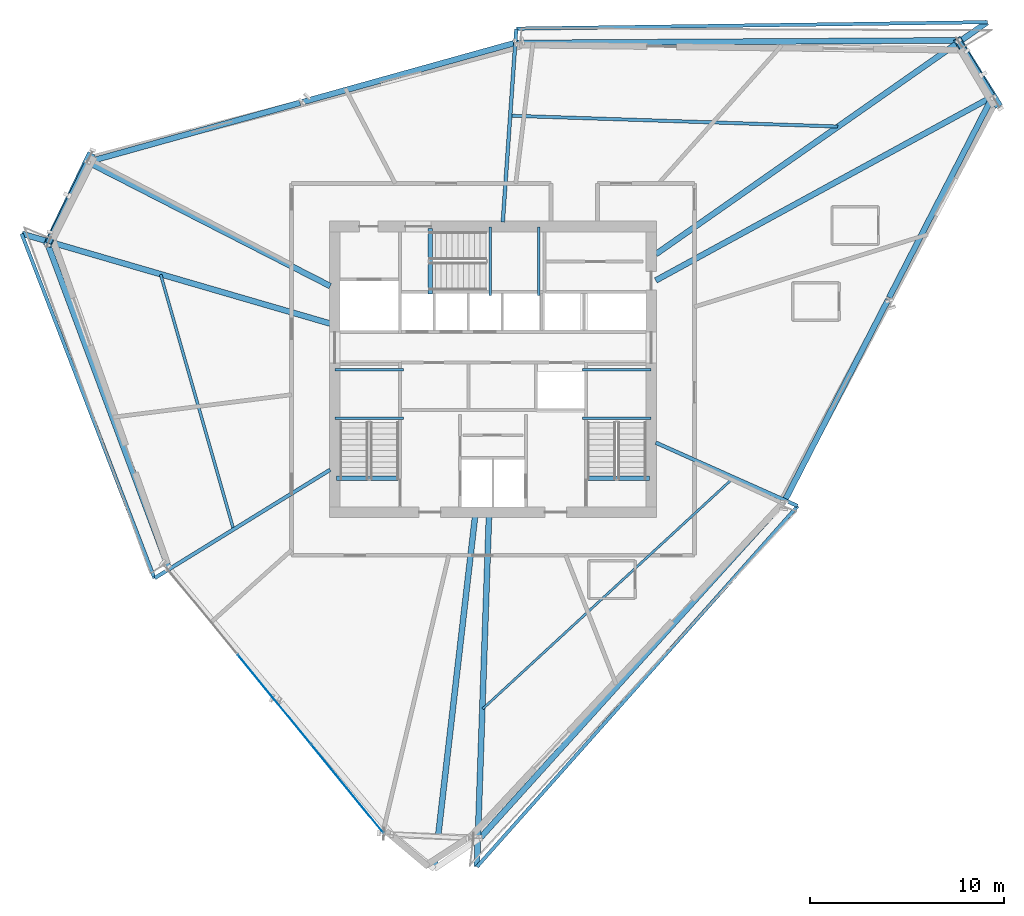
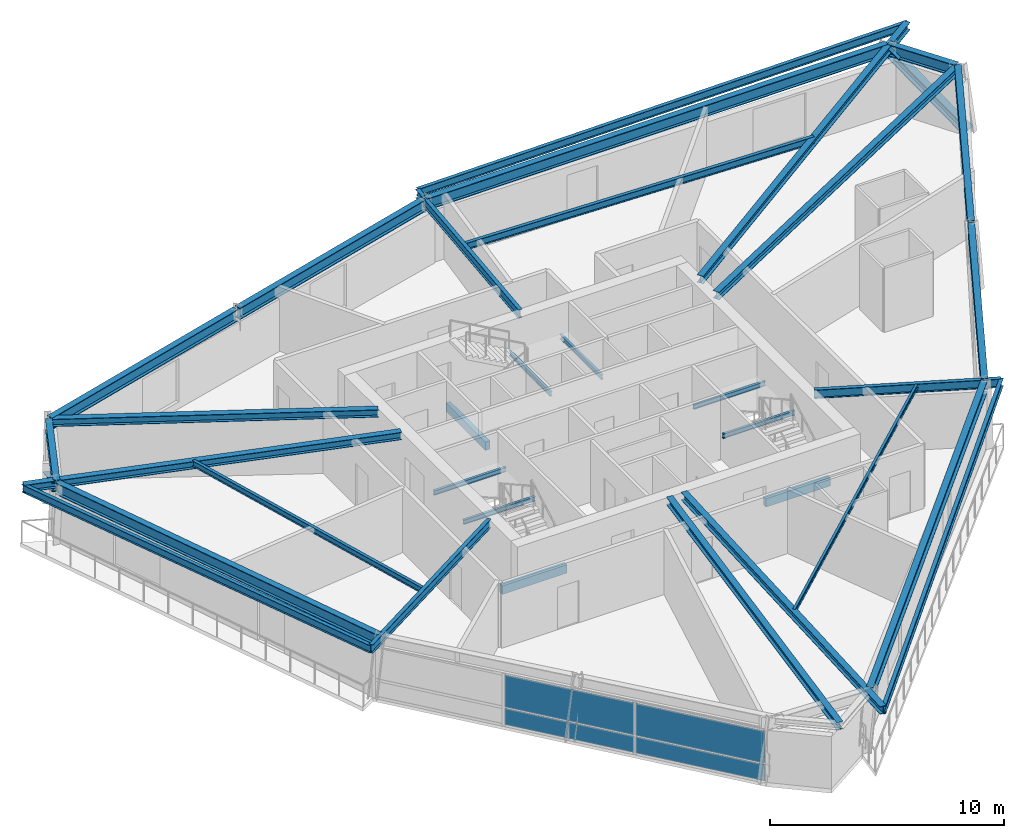
# One storey, part 5 of 15: 33 beams, 4 plates, 2 members, 1 element without a shape of its own.
"""IFC4 building model written with IfcOpenShell, lengths in metres."""

from ifc_helpers import new_model, si_unit, direction, frame, origin, origin_2d, place, context, subcontext, project, spatial, rectangle, i_section, extrude, source, transform, mapped, material, material_profile, profile_set, type_object, element, aggregate, save


model = new_model("IFC4")

# Units and contexts
model_context = context("Model", 3, precision=1e-05, world=origin(), true_north=direction((0.0, 1.0)))
body_context = subcontext(model_context, "Body", "Model", "MODEL_VIEW")
ifc_project = project(units=[si_unit("LENGTHUNIT", "METRE"), si_unit("AREAUNIT", "SQUARE_METRE"), si_unit("VOLUMEUNIT", "CUBIC_METRE"), si_unit("PLANEANGLEUNIT", "RADIAN"), si_unit("MASSUNIT", "GRAM", prefix="KILO")], contexts=[model_context])

# Site, building, storey
site_placement = place(None, origin())
site = spatial("IfcSite", under=ifc_project, at=site_placement, CompositionType="ELEMENT")
building_placement = place(site_placement, origin())
building = spatial("IfcBuilding", under=site, at=building_placement, Name="Olszyna Solenne Hotel", CompositionType="ELEMENT")
storey_placement = place(building_placement, frame((0.0, 0.0, 160.800048828125)))
storey = spatial("IfcBuildingStorey", under=building, at=storey_placement, Name="L42", CompositionType="ELEMENT", Elevation=160.800048828125)

# Beams
ifc_material_1 = material(Name="Steel S355J2", Category="steel")
ifc_material_profile_1 = material_profile(ifc_material_1, i_section(OverallWidth=0.300048828125, OverallDepth=0.60009765625, WebThickness=0.015380859375, FlangeThickness=0.030029296875, at=origin_2d()), Name="HEB 600", Category="load-bearing")
ifc_profile_set_1 = profile_set([ifc_material_profile_1], Name="Steel S355J2")
beam_type_1 = type_object("IfcBeamType", Name="BM-S2", PredefinedType="BEAM", material=ifc_profile_set_1)
shared_shape_1 = source(origin(), body_context, "Body", "SweptSolid", [
    extrude(i_section(OverallWidth=0.300048828125, OverallDepth=0.60009765625, WebThickness=0.015380859375, FlangeThickness=0.030029296875, at=origin_2d()), origin(), (0.0, 0.0, 1.0), 3.28564453125),
])
beam_1_placement = place(storey_placement, frame((63.766845703125, 40.73779296875, 3.030029296875), z_axis=(-0.524806157614, 0.851221767185, 0.0), x_axis=(-0.851221767185, -0.524806157614, 0.0)))
element("IfcBeam", 1, at=beam_1_placement, inside=storey, type_object=beam_type_1, Name="Perimeter spandrel beam BM-S2 B-L42-1245", PredefinedType="BEAM", context=body_context, shape_type="MappedRepresentation", body=[
    mapped(shared_shape_1, transform((0.0, 0.0, 0.0), x_axis=(1.0, 0.0, 0.0), y_axis=(0.0, 1.0, 0.0), z_axis=(0.0, 0.0, 1.0), scale=1.0)),
])
shared_shape_2 = source(origin(), body_context, "Body", "SweptSolid", [
    extrude(i_section(OverallWidth=0.300048828125, OverallDepth=0.60009765625, WebThickness=0.015380859375, FlangeThickness=0.030029296875, at=origin_2d()), origin(), (0.0, 0.0, 1.0), 22.77294921875),
])
beam_2_placement = place(storey_placement, frame((61.951171875, 43.58544921875, 3.030029296875), z_axis=(-0.999982868148, -0.005853495497, 0.0), x_axis=(0.005853495497, -0.999982868148, 0.0)))
element("IfcBeam", 2, at=beam_2_placement, inside=storey, type_object=beam_type_1, Name="Perimeter spandrel beam BM-S2 B-L42-1246", PredefinedType="BEAM", context=body_context, shape_type="MappedRepresentation", body=[
    mapped(shared_shape_2, transform((0.0, 0.0, 0.0), x_axis=(1.0, 0.0, 0.0), y_axis=(0.0, 1.0, 0.0), z_axis=(0.0, 0.0, 1.0), scale=1.0)),
])
shared_shape_3 = source(origin(), body_context, "Body", "SweptSolid", [
    extrude(i_section(OverallWidth=0.300048828125, OverallDepth=0.60009765625, WebThickness=0.015380859375, FlangeThickness=0.030029296875, at=origin_2d()), origin(), (0.0, 0.0, 1.0), 11.326416015625),
])
beam_3_placement = place(storey_placement, frame((39.060791015625, 43.435791015625, 3.030029296875), z_axis=(-0.963294613453, -0.268446433563, 0.0), x_axis=(0.268446433563, -0.963294613453, 0.0)))
element("IfcBeam", 3, at=beam_3_placement, inside=storey, type_object=beam_type_1, Name="Perimeter spandrel beam BM-S2 B-L42-1247", PredefinedType="BEAM", context=body_context, shape_type="MappedRepresentation", body=[
    mapped(shared_shape_3, transform((0.0, 0.0, 0.0), x_axis=(1.0, 0.0, 0.0), y_axis=(0.0, 1.0, 0.0), z_axis=(0.0, 0.0, 1.0), scale=1.0)),
])
shared_shape_4 = source(origin(), body_context, "Body", "SweptSolid", [
    extrude(i_section(OverallWidth=0.300048828125, OverallDepth=0.60009765625, WebThickness=0.015380859375, FlangeThickness=0.030029296875, at=origin_2d()), origin(), (0.0, 0.0, 1.0), 11.32666015625),
])
beam_4_placement = place(storey_placement, frame((28.03466796875, 40.363037109375, 3.030029296875), z_axis=(-0.963296166736, -0.268440859693, 0.0), x_axis=(0.268440859693, -0.963296166736, 0.0)))
element("IfcBeam", 4, at=beam_4_placement, inside=storey, type_object=beam_type_1, Name="Perimeter spandrel beam BM-S2 B-L42-1248", PredefinedType="BEAM", context=body_context, shape_type="MappedRepresentation", body=[
    mapped(shared_shape_4, transform((0.0, 0.0, 0.0), x_axis=(1.0, 0.0, 0.0), y_axis=(0.0, 1.0, 0.0), z_axis=(0.0, 0.0, 1.0), scale=1.0)),
])
shared_shape_5 = source(origin(), body_context, "Body", "SweptSolid", [
    extrude(i_section(OverallWidth=0.300048828125, OverallDepth=0.60009765625, WebThickness=0.015380859375, FlangeThickness=0.030029296875, at=origin_2d()), origin(), (0.0, 0.0, 1.0), 4.60009765625),
])
beam_5_placement = place(storey_placement, frame((17.039794921875, 37.25244140625, 3.030029296875), z_axis=(-0.436738321068, -0.899588594253, 0.0), x_axis=(0.899588594253, -0.436738321068, 0.0)))
element("IfcBeam", 5, at=beam_5_placement, inside=storey, type_object=beam_type_1, Name="Perimeter spandrel beam BM-S2 B-L42-1249", PredefinedType="BEAM", context=body_context, shape_type="MappedRepresentation", body=[
    mapped(shared_shape_5, transform((0.0, 0.0, 0.0), x_axis=(1.0, 0.0, 0.0), y_axis=(0.0, 1.0, 0.0), z_axis=(0.0, 0.0, 1.0), scale=1.0)),
])
shared_shape_6 = source(origin(), body_context, "Body", "SweptSolid", [
    extrude(i_section(OverallWidth=0.300048828125, OverallDepth=0.60009765625, WebThickness=0.015380859375, FlangeThickness=0.030029296875, at=origin_2d()), origin(), (0.0, 0.0, 1.0), 17.78857421875),
])
beam_6_placement = place(storey_placement, frame((15.025390625, 33.00390625, 3.030029296875), z_axis=(0.350127553571, -0.936702031721, 0.0), x_axis=(0.936702031721, 0.350127553571, 0.0)))
element("IfcBeam", 6, at=beam_6_placement, inside=storey, type_object=beam_type_1, Name="Perimeter spandrel beam BM-S2 B-L42-1250", PredefinedType="BEAM", context=body_context, shape_type="MappedRepresentation", body=[
    mapped(shared_shape_6, transform((0.0, 0.0, 0.0), x_axis=(1.0, 0.0, 0.0), y_axis=(0.0, 1.0, 0.0), z_axis=(0.0, 0.0, 1.0), scale=1.0)),
])
shared_shape_7 = source(origin(), body_context, "Body", "SweptSolid", [
    extrude(i_section(OverallWidth=0.300048828125, OverallDepth=0.60009765625, WebThickness=0.015380859375, FlangeThickness=0.030029296875, at=origin_2d()), origin(), (0.0, 0.0, 1.0), 23.35205078125),
])
beam_7_placement = place(storey_placement, frame((37.371826171875, 2.437744140625, 3.030029296875), z_axis=(0.670161252541, 0.742215531765, 0.0), x_axis=(-0.742215531765, 0.670161252541, 0.0)))
element("IfcBeam", 7, at=beam_7_placement, inside=storey, type_object=beam_type_1, Name="Perimeter spandrel beam BM-S2 B-L42-1254", PredefinedType="BEAM", context=body_context, shape_type="MappedRepresentation", body=[
    mapped(shared_shape_7, transform((0.0, 0.0, 0.0), x_axis=(1.0, 0.0, 0.0), y_axis=(0.0, 1.0, 0.0), z_axis=(0.0, 0.0, 1.0), scale=1.0)),
])
shared_shape_8 = source(origin(), body_context, "Body", "SweptSolid", [
    extrude(i_section(OverallWidth=0.300048828125, OverallDepth=0.60009765625, WebThickness=0.015380859375, FlangeThickness=0.030029296875, at=origin_2d()), origin(), (0.0, 0.0, 1.0), 11.61572265625),
])
beam_8_placement = place(storey_placement, frame((53.089111328125, 19.867919921875, 3.030029296875), z_axis=(0.457441092855, 0.889239926323, 0.0), x_axis=(-0.889239926323, 0.457441092855, 0.0)))
element("IfcBeam", 8, at=beam_8_placement, inside=storey, type_object=beam_type_1, Name="Perimeter spandrel beam BM-S2 B-L42-1255", PredefinedType="BEAM", context=body_context, shape_type="MappedRepresentation", body=[
    mapped(shared_shape_8, transform((0.0, 0.0, 0.0), x_axis=(1.0, 0.0, 0.0), y_axis=(0.0, 1.0, 0.0), z_axis=(0.0, 0.0, 1.0), scale=1.0)),
])
shared_shape_9 = source(origin(), body_context, "Body", "SweptSolid", [
    extrude(i_section(OverallWidth=0.300048828125, OverallDepth=0.60009765625, WebThickness=0.015380859375, FlangeThickness=0.030029296875, at=origin_2d()), origin(), (0.0, 0.0, 1.0), 11.615966796875),
])
beam_9_placement = place(storey_placement, frame((58.457275390625, 30.303955078125, 3.030029296875), z_axis=(0.457449163041, 0.889235774827, 0.0), x_axis=(-0.889235774827, 0.457449163041, 0.0)))
element("IfcBeam", 9, at=beam_9_placement, inside=storey, type_object=beam_type_1, Name="Perimeter spandrel beam BM-S2 B-L42-1256", PredefinedType="BEAM", context=body_context, shape_type="MappedRepresentation", body=[
    mapped(shared_shape_9, transform((0.0, 0.0, 0.0), x_axis=(1.0, 0.0, 0.0), y_axis=(0.0, 1.0, 0.0), z_axis=(0.0, 0.0, 1.0), scale=1.0)),
])
ifc_material_profile_2 = material_profile(ifc_material_1, i_section(OverallWidth=0.300048828125, OverallDepth=0.389892578125, WebThickness=0.010986328125, FlangeThickness=0.01904296875, at=origin_2d()), Name="HEA 400", Category="load-bearing")
ifc_profile_set_2 = profile_set([ifc_material_profile_2], Name="Steel S355J2")
beam_type_2 = type_object("IfcBeamType", Name="BM-G2", PredefinedType="BEAM", material=ifc_profile_set_2)
shared_shape_10 = source(origin(), body_context, "Body", "SweptSolid", [
    extrude(i_section(OverallWidth=0.300048828125, OverallDepth=0.389892578125, WebThickness=0.010986328125, FlangeThickness=0.01904296875, at=origin_2d()), origin(), (0.0, 0.0, 1.0), 19.756103515625),
])
beam_10_placement = place(storey_placement, frame((63.74560546875, 40.65771484375, 3.135009765625), z_axis=(-0.877686745312, -0.479234782862, 0.0), x_axis=(0.479234782862, -0.877686745312, 0.0)))
element("IfcBeam", 10, at=beam_10_placement, inside=storey, type_object=beam_type_2, Name="Radial floor girder BM-G2 B-L42-1257", PredefinedType="BEAM", context=body_context, shape_type="MappedRepresentation", body=[
    mapped(shared_shape_10, transform((0.0, 0.0, 0.0), x_axis=(1.0, 0.0, 0.0), y_axis=(0.0, 1.0, 0.0), z_axis=(0.0, 0.0, 1.0), scale=1.0)),
])
shared_shape_11 = source(origin(), body_context, "Body", "SweptSolid", [
    extrude(i_section(OverallWidth=0.300048828125, OverallDepth=0.389892578125, WebThickness=0.010986328125, FlangeThickness=0.01904296875, at=origin_2d()), origin(), (0.0, 0.0, 1.0), 20.869384765625),
])
beam_11_placement = place(storey_placement, frame((63.50634765625, 44.51611328125, 3.135009765625), z_axis=(-0.819248408049, -0.573438790029, 0.0), x_axis=(0.573438790029, -0.819248408049, 0.0)))
element("IfcBeam", 11, at=beam_11_placement, inside=storey, type_object=beam_type_2, Name="Radial floor girder BM-G2 B-L42-1258", PredefinedType="BEAM", context=body_context, shape_type="MappedRepresentation", body=[
    mapped(shared_shape_11, transform((0.0, 0.0, 0.0), x_axis=(1.0, 0.0, 0.0), y_axis=(0.0, 1.0, 0.0), z_axis=(0.0, 0.0, 1.0), scale=1.0)),
])
ifc_material_profile_3 = material_profile(ifc_material_1, i_section(OverallWidth=0.18994140625, OverallDepth=0.449951171875, WebThickness=0.009521484375, FlangeThickness=0.0146484375, at=origin_2d()), Name="IPE 450", Category="load-bearing")
ifc_profile_set_3 = profile_set([ifc_material_profile_3], Name="Steel S355J2")
beam_type_3 = type_object("IfcBeamType", Name="BM-F4", PredefinedType="BEAM", material=ifc_profile_set_3)
shared_shape_12 = source(origin(), body_context, "Body", "SweptSolid", [
    extrude(i_section(OverallWidth=0.18994140625, OverallDepth=0.449951171875, WebThickness=0.009521484375, FlangeThickness=0.0146484375, at=origin_2d()), origin(), (0.0, 0.0, 1.0), 9.997802734375),
])
beam_12_placement = place(storey_placement, frame((39.19970703125, 44.173828125, 3.10498046875), z_axis=(-0.069546269808, -0.997578726896, 0.0), x_axis=(0.997578726896, -0.069546269808, 0.0)))
element("IfcBeam", 12, at=beam_12_placement, inside=storey, type_object=beam_type_3, Name="Radial floor girder BM-F4 B-L42-1259", PredefinedType="BEAM", context=body_context, shape_type="MappedRepresentation", body=[
    mapped(shared_shape_12, transform((0.0, 0.0, 0.0), x_axis=(1.0, 0.0, 0.0), y_axis=(0.0, 1.0, 0.0), z_axis=(0.0, 0.0, 1.0), scale=1.0)),
])
shared_shape_13 = source(origin(), body_context, "Body", "SweptSolid", [
    extrude(i_section(OverallWidth=0.300048828125, OverallDepth=0.389892578125, WebThickness=0.010986328125, FlangeThickness=0.01904296875, at=origin_2d()), origin(), (0.0, 0.0, 1.0), 14.011962890625),
])
beam_13_placement = place(storey_placement, frame((17.119384765625, 37.279052734375, 3.135009765625), z_axis=(0.890319953096, -0.455335459984, 0.0), x_axis=(0.455335459984, 0.890319953096, 0.0)))
element("IfcBeam", 13, at=beam_13_placement, inside=storey, type_object=beam_type_2, Name="Radial floor girder BM-G2 B-L42-1260", PredefinedType="BEAM", context=body_context, shape_type="MappedRepresentation", body=[
    mapped(shared_shape_13, transform((0.0, 0.0, 0.0), x_axis=(1.0, 0.0, 0.0), y_axis=(0.0, 1.0, 0.0), z_axis=(0.0, 0.0, 1.0), scale=1.0)),
])
shared_shape_14 = source(origin(), body_context, "Body", "SweptSolid", [
    extrude(i_section(OverallWidth=0.300048828125, OverallDepth=0.389892578125, WebThickness=0.010986328125, FlangeThickness=0.01904296875, at=origin_2d()), origin(), (0.0, 0.0, 1.0), 16.58251953125),
])
beam_14_placement = place(storey_placement, frame((13.677001953125, 33.596923828125, 3.135009765625), z_axis=(0.960116497632, -0.279600269985, 0.0), x_axis=(0.279600269985, 0.960116497632, 0.0)))
element("IfcBeam", 14, at=beam_14_placement, inside=storey, type_object=beam_type_2, Name="Radial floor girder BM-G2 B-L42-1261", PredefinedType="BEAM", context=body_context, shape_type="MappedRepresentation", body=[
    mapped(shared_shape_14, transform((0.0, 0.0, 0.0), x_axis=(1.0, 0.0, 0.0), y_axis=(0.0, 1.0, 0.0), z_axis=(0.0, 0.0, 1.0), scale=1.0)),
])
shared_shape_15 = source(origin(), body_context, "Body", "SweptSolid", [
    extrude(i_section(OverallWidth=0.18994140625, OverallDepth=0.449951171875, WebThickness=0.009521484375, FlangeThickness=0.0146484375, at=origin_2d()), origin(), (0.0, 0.0, 1.0), 10.642822265625),
])
beam_15_placement = place(storey_placement, frame((20.535888671875, 15.82470703125, 3.10498046875), z_axis=(0.850954210908, 0.525239879425, 0.0), x_axis=(-0.525239879425, 0.850954210908, 0.0)))
element("IfcBeam", 15, at=beam_15_placement, inside=storey, type_object=beam_type_3, Name="Radial floor girder BM-F4 B-L42-1262", PredefinedType="BEAM", context=body_context, shape_type="MappedRepresentation", body=[
    mapped(shared_shape_15, transform((0.0, 0.0, 0.0), x_axis=(1.0, 0.0, 0.0), y_axis=(0.0, 1.0, 0.0), z_axis=(0.0, 0.0, 1.0), scale=1.0)),
])
shared_shape_16 = source(origin(), body_context, "Body", "SweptSolid", [
    extrude(i_section(OverallWidth=0.300048828125, OverallDepth=0.389892578125, WebThickness=0.010986328125, FlangeThickness=0.01904296875, at=origin_2d()), origin(), (0.0, 0.0, 1.0), 18.30078125),
])
beam_16_placement = place(storey_placement, frame((34.97216796875, 0.81982421875, 3.135009765625), z_axis=(0.114821583899, 0.993386130299, 0.0), x_axis=(-0.993386130299, 0.114821583899, 0.0)))
element("IfcBeam", 16, at=beam_16_placement, inside=storey, type_object=beam_type_2, Name="Radial floor girder BM-G2 B-L42-1263", PredefinedType="BEAM", context=body_context, shape_type="MappedRepresentation", body=[
    mapped(shared_shape_16, transform((0.0, 0.0, 0.0), x_axis=(1.0, 0.0, 0.0), y_axis=(0.0, 1.0, 0.0), z_axis=(0.0, 0.0, 1.0), scale=1.0)),
])
shared_shape_17 = source(origin(), body_context, "Body", "SweptSolid", [
    extrude(i_section(OverallWidth=0.300048828125, OverallDepth=0.389892578125, WebThickness=0.010986328125, FlangeThickness=0.01904296875, at=origin_2d()), origin(), (0.0, 0.0, 1.0), 18.08154296875),
])
beam_17_placement = place(storey_placement, frame((37.16748046875, 0.92919921875, 3.135009765625), z_axis=(0.034444139254, 0.999406624588, 0.0), x_axis=(-0.999406624588, 0.034444139254, 0.0)))
element("IfcBeam", 17, at=beam_17_placement, inside=storey, type_object=beam_type_2, Name="Radial floor girder BM-G2 B-L42-1264", PredefinedType="BEAM", context=body_context, shape_type="MappedRepresentation", body=[
    mapped(shared_shape_17, transform((0.0, 0.0, 0.0), x_axis=(1.0, 0.0, 0.0), y_axis=(0.0, 1.0, 0.0), z_axis=(0.0, 0.0, 1.0), scale=1.0)),
])
shared_shape_18 = source(origin(), body_context, "Body", "SweptSolid", [
    extrude(i_section(OverallWidth=0.18994140625, OverallDepth=0.449951171875, WebThickness=0.009521484375, FlangeThickness=0.0146484375, at=origin_2d()), origin(), (0.0, 0.0, 1.0), 8.00732421875),
])
beam_18_placement = place(storey_placement, frame((53.716796875, 19.55126953125, 3.10498046875), z_axis=(-0.913233518246, 0.407436548622, 0.0), x_axis=(-0.407436548622, -0.913233518246, 0.0)))
element("IfcBeam", 18, at=beam_18_placement, inside=storey, type_object=beam_type_3, Name="Radial floor girder BM-F4 B-L42-1265", PredefinedType="BEAM", context=body_context, shape_type="MappedRepresentation", body=[
    mapped(shared_shape_18, transform((0.0, 0.0, 0.0), x_axis=(1.0, 0.0, 0.0), y_axis=(0.0, 1.0, 0.0), z_axis=(0.0, 0.0, 1.0), scale=1.0)),
])
ifc_material_profile_4 = material_profile(ifc_material_1, i_section(OverallWidth=0.169921875, OverallDepth=0.360107421875, WebThickness=0.008056640625, FlangeThickness=0.0126953125, at=origin_2d()), Name="IPE 360", Category="load-bearing")
ifc_profile_set_4 = profile_set([ifc_material_profile_4], Name="Steel S355J2")
beam_type_4 = type_object("IfcBeamType", Name="JS-01", PredefinedType="JOIST", material=ifc_profile_set_4)
shared_shape_19 = source(origin(), body_context, "Body", "SweptSolid", [
    extrude(i_section(OverallWidth=0.169921875, OverallDepth=0.360107421875, WebThickness=0.008056640625, FlangeThickness=0.0126953125, at=origin_2d()), origin(), (0.0, 0.0, 1.0), 16.9033203125),
])
beam_19_placement = place(storey_placement, frame((55.8017578125, 39.1376953125, 3.14990234375), z_axis=(-0.999454769587, 0.033017624834, 0.0), x_axis=(-0.033017624834, -0.999454769587, 0.0)))
element("IfcBeam", 19, at=beam_19_placement, inside=storey, type_object=beam_type_4, Name="Secondary composite floor joist JS-01 B-L42-1268", PredefinedType="JOIST", context=body_context, shape_type="MappedRepresentation", body=[
    mapped(shared_shape_19, transform((0.0, 0.0, 0.0), x_axis=(1.0, 0.0, 0.0), y_axis=(0.0, 1.0, 0.0), z_axis=(0.0, 0.0, 1.0), scale=1.0)),
])
ifc_material_profile_5 = material_profile(ifc_material_1, i_section(OverallWidth=0.14990234375, OverallDepth=0.300048828125, WebThickness=0.007080078125, FlangeThickness=0.0107421875, at=origin_2d()), Name="IPE 300", Category="load-bearing")
ifc_profile_set_5 = profile_set([ifc_material_profile_5], Name="Steel S355J2")
beam_type_5 = type_object("IfcBeamType", Name="JS-02", PredefinedType="JOIST", material=ifc_profile_set_5)
shared_shape_20 = source(origin(), body_context, "Body", "SweptSolid", [
    extrude(i_section(OverallWidth=0.14990234375, OverallDepth=0.300048828125, WebThickness=0.007080078125, FlangeThickness=0.0107421875, at=origin_2d()), origin(), (0.0, 0.0, 1.0), 13.66796875),
])
beam_20_placement = place(storey_placement, frame((20.83642578125, 31.494384765625, 3.179931640625), z_axis=(0.275112724168, -0.961411976731, 0.0), x_axis=(0.961411976731, 0.275112724168, 0.0)))
element("IfcBeam", 20, at=beam_20_placement, inside=storey, type_object=beam_type_5, Name="Secondary composite floor joist JS-02 B-L42-1269", PredefinedType="JOIST", context=body_context, shape_type="MappedRepresentation", body=[
    mapped(shared_shape_20, transform((0.0, 0.0, 0.0), x_axis=(1.0, 0.0, 0.0), y_axis=(0.0, 1.0, 0.0), z_axis=(0.0, 0.0, 1.0), scale=1.0)),
])
ifc_material_profile_6 = material_profile(ifc_material_1, i_section(OverallWidth=0.1201171875, OverallDepth=0.239990234375, WebThickness=0.006103515625, FlangeThickness=0.009765625, at=origin_2d()), Name="IPE 240", Category="load-bearing")
ifc_profile_set_6 = profile_set([ifc_material_profile_6], Name="Steel S355J2")
beam_type_6 = type_object("IfcBeamType", Name="JS-03", PredefinedType="JOIST", material=ifc_profile_set_6)
shared_shape_21 = source(origin(), body_context, "Body", "SweptSolid", [
    extrude(i_section(OverallWidth=0.1201171875, OverallDepth=0.239990234375, WebThickness=0.006103515625, FlangeThickness=0.009765625, at=origin_2d()), origin(), (0.0, 0.0, 1.0), 17.61962890625),
])
beam_21_placement = place(storey_placement, frame((37.4619140625, 9.063720703125, 3.2099609375), z_axis=(0.735512761164, 0.677510869407, 0.0), x_axis=(-0.677510869407, 0.735512761164, 0.0)))
element("IfcBeam", 21, at=beam_21_placement, inside=storey, type_object=beam_type_6, Name="Secondary composite floor joist JS-03 B-L42-1270", PredefinedType="JOIST", context=body_context, shape_type="MappedRepresentation", body=[
    mapped(shared_shape_21, transform((0.0, 0.0, 0.0), x_axis=(1.0, 0.0, 0.0), y_axis=(0.0, 1.0, 0.0), z_axis=(0.0, 0.0, 1.0), scale=1.0)),
])
ifc_material_profile_7 = material_profile(ifc_material_1, i_section(OverallWidth=0.179931640625, OverallDepth=0.39990234375, WebThickness=0.008544921875, FlangeThickness=0.013427734375, at=origin_2d()), Name="IPE 400", Category="load-bearing")
ifc_profile_set_7 = profile_set([ifc_material_profile_7], Name="Steel S355J2")
beam_type_7 = type_object("IfcBeamType", Name="BM-F5", PredefinedType="BEAM", material=ifc_profile_set_7)
shared_shape_22 = source(origin(), body_context, "Body", "SweptSolid", [
    extrude(i_section(OverallWidth=0.179931640625, OverallDepth=0.39990234375, WebThickness=0.008544921875, FlangeThickness=0.013427734375, at=origin_2d()), origin(), (0.0, 0.0, 1.0), 24.32373046875),
])
beam_22_placement = place(storey_placement, frame((63.522705078125, 44.527587890625, 3.1298828125), z_axis=(-0.999905866563, -0.013720714705, 0.0), x_axis=(0.013720714705, -0.999905866563, 0.0)))
element("IfcBeam", 22, at=beam_22_placement, inside=storey, type_object=beam_type_7, Name="Loggia outer edge beam BM-F5 B-L42-1271", PredefinedType="BEAM", context=body_context, shape_type="MappedRepresentation", body=[
    mapped(shared_shape_22, transform((0.0, 0.0, 0.0), x_axis=(1.0, 0.0, 0.0), y_axis=(0.0, 1.0, 0.0), z_axis=(0.0, 0.0, 1.0), scale=1.0)),
])
shared_shape_23 = source(origin(), body_context, "Body", "SweptSolid", [
    extrude(i_section(OverallWidth=0.179931640625, OverallDepth=0.39990234375, WebThickness=0.008544921875, FlangeThickness=0.013427734375, at=origin_2d()), origin(), (0.0, 0.0, 1.0), 19.065673828125),
])
beam_23_placement = place(storey_placement, frame((13.65771484375, 33.6025390625, 3.1298828125), z_axis=(0.359866176299, -0.933003930944, 0.0), x_axis=(0.933003930944, 0.359866176299, 0.0)))
element("IfcBeam", 23, at=beam_23_placement, inside=storey, type_object=beam_type_7, Name="Loggia outer edge beam BM-F5 B-L42-1272", PredefinedType="BEAM", context=body_context, shape_type="MappedRepresentation", body=[
    mapped(shared_shape_23, transform((0.0, 0.0, 0.0), x_axis=(1.0, 0.0, 0.0), y_axis=(0.0, 1.0, 0.0), z_axis=(0.0, 0.0, 1.0), scale=1.0)),
])
shared_shape_24 = source(origin(), body_context, "Body", "SweptSolid", [
    extrude(i_section(OverallWidth=0.179931640625, OverallDepth=0.39990234375, WebThickness=0.008544921875, FlangeThickness=0.013427734375, at=origin_2d()), origin(), (0.0, 0.0, 1.0), 24.9345703125),
])
beam_24_placement = place(storey_placement, frame((37.166748046875, 0.9091796875, 3.1298828125), z_axis=(0.664470792574, 0.747314234988, 0.0), x_axis=(-0.747314234988, 0.664470792574, 0.0)))
element("IfcBeam", 24, at=beam_24_placement, inside=storey, type_object=beam_type_7, Name="Loggia outer edge beam BM-F5 B-L42-1273", PredefinedType="BEAM", context=body_context, shape_type="MappedRepresentation", body=[
    mapped(shared_shape_24, transform((0.0, 0.0, 0.0), x_axis=(1.0, 0.0, 0.0), y_axis=(0.0, 1.0, 0.0), z_axis=(0.0, 0.0, 1.0), scale=1.0)),
])

# Members
ifc_material_2 = material(Name="Steel S460M", Category="steel")
ifc_material_profile_8 = material_profile(ifc_material_2, i_section(OverallWidth=0.406005859375, OverallDepth=0.416015625, WebThickness=0.026611328125, FlangeThickness=0.04150390625, at=origin_2d()), Name="HD 400x382", Category="load-bearing")
ifc_profile_set_8 = profile_set([ifc_material_profile_8], Name="Steel S460M")
member_type = type_object("IfcMemberType", Name="BR-T2", PredefinedType="BRACE", material=ifc_profile_set_8)
shared_shape_25 = source(origin(), body_context, "Body", "SweptSolid", [
    extrude(i_section(OverallWidth=0.406005859375, OverallDepth=0.416015625, WebThickness=0.026611328125, FlangeThickness=0.04150390625, at=origin_2d()), origin(), (0.0, 0.0, 1.0), 4.9033203125),
])
member_1_placement = place(storey_placement, frame((64.06396484375, 40.2861328125, 0.010009765625), z_axis=(-0.418697485575, 0.672933347312, 0.609797610399), x_axis=(-0.849065997042, -0.528286790169, 0.0)))
element("IfcMember", 25, at=member_1_placement, inside=storey, type_object=member_type, Name="Perimeter braced-tube diagonal BR-T2 BR-L42-1", PredefinedType="BRACE", context=body_context, shape_type="MappedRepresentation", body=[
    mapped(shared_shape_25, transform((0.0, 0.0, 0.0), x_axis=(1.0, 0.0, 0.0), y_axis=(0.0, 1.0, 0.0), z_axis=(0.0, 0.0, 1.0), scale=1.0)),
])
shared_shape_26 = source(origin(), body_context, "Body", "SweptSolid", [
    extrude(i_section(OverallWidth=0.406005859375, OverallDepth=0.416015625, WebThickness=0.026611328125, FlangeThickness=0.04150390625, at=origin_2d()), origin(), (0.0, 0.0, 1.0), 5.921630859375),
])
member_2_placement = place(storey_placement, frame((17.218017578125, 37.66748046875, 0.010009765625), z_axis=(-0.373816935395, -0.778019122955, 0.504922908104), x_axis=(0.901356779269, -0.433077310033, 0.0)))
element("IfcMember", 26, at=member_2_placement, inside=storey, type_object=member_type, Name="Perimeter braced-tube diagonal BR-T2 BR-L42-2", PredefinedType="BRACE", context=body_context, shape_type="MappedRepresentation", body=[
    mapped(shared_shape_26, transform((0.0, 0.0, 0.0), x_axis=(1.0, 0.0, 0.0), y_axis=(0.0, 1.0, 0.0), z_axis=(0.0, 0.0, 1.0), scale=1.0)),
])

# Beams
shared_shape_27 = source(origin(), body_context, "Body", "SweptSolid", [
    extrude(i_section(OverallWidth=0.1201171875, OverallDepth=0.239990234375, WebThickness=0.006103515625, FlangeThickness=0.009765625, at=origin_2d()), origin(), (0.0, 0.0, 1.0), 3.539794921875),
])
for number, where, z_axis, x_axis, name in (
    (27, (33.3798828125, 24.070068359375, 1.449951171875), (-1.0, 0.0, 0.0), (0.0, -1.0, 0.0), "Stair landing support beam JS-03 SLB-ST1-0089"),
    (28, (33.3798828125, 26.580078125, 1.449951171875), (-1.0, 0.0, 0.0), (0.0, -1.0, 0.0), "Stair landing support beam JS-03 SLB-ST1-0090"),
    (29, (46.159912109375, 24.070068359375, 1.449951171875), (-1.0, 0.0, 0.0), (0.0, -1.0, 0.0), "Stair landing support beam JS-03 SLB-ST2-0329"),
    (30, (46.159912109375, 26.580078125, 1.449951171875), (-1.0, 0.0, 0.0), (0.0, -1.0, 0.0), "Stair landing support beam JS-03 SLB-ST2-0330"),
):
    element("IfcBeam", number, at=place(storey_placement, frame(where, z_axis=z_axis, x_axis=x_axis)), inside=storey, type_object=beam_type_6, Name=name, PredefinedType="JOIST", context=body_context, shape_type="MappedRepresentation", body=[
        mapped(shared_shape_27, transform((0.0, 0.0, 0.0), x_axis=(1.0, 0.0, 0.0), y_axis=(0.0, 1.0, 0.0), z_axis=(0.0, 0.0, 1.0), scale=1.0)),
    ])
ifc_material_3 = material(Name="Concrete C50/60", Category="concrete")
ifc_material_profile_9 = material_profile(ifc_material_3, rectangle(XDim=0.219970703125, YDim=0.43994140625, at=origin_2d()), Name="RC 220x440", Category="load-bearing")
ifc_profile_set_9 = profile_set([ifc_material_profile_9], Name="Concrete C50/60")
beam_type_8 = type_object("IfcBeamType", Name="BM-ST1", PredefinedType="BEAM", material=ifc_profile_set_9)
shared_shape_28 = source(origin(), body_context, "Body", "SweptSolid", [
    extrude(rectangle(XDim=0.219970703125, YDim=0.43994140625, at=origin_2d()), origin(), (0.0, 0.0, 1.0), 3.18017578125),
])
for number, where, z_axis, x_axis, name in (
    (31, (33.10009765625, 20.97998046875, -0.205078125), (-1.0, 0.0, 0.0), (0.0, -1.0, 0.0), "Concrete stair trimmer beam BM-ST1 SHB-ST1-0204"),
    (32, (46.080078125, 20.97998046875, -0.205078125), (-1.0, 0.0, 0.0), (0.0, -1.0, 0.0), "Concrete stair trimmer beam BM-ST1 SHB-ST2-0444"),
):
    element("IfcBeam", number, at=place(storey_placement, frame(where, z_axis=z_axis, x_axis=x_axis)), inside=storey, type_object=beam_type_8, Name=name, PredefinedType="BEAM", context=body_context, shape_type="MappedRepresentation", body=[
        mapped(shared_shape_28, transform((0.0, 0.0, 0.0), x_axis=(1.0, 0.0, 0.0), y_axis=(0.0, 1.0, 0.0), z_axis=(0.0, 0.0, 1.0), scale=1.0)),
    ])
shared_shape_29 = source(origin(), body_context, "Body", "SweptSolid", [
    extrude(i_section(OverallWidth=0.1201171875, OverallDepth=0.239990234375, WebThickness=0.006103515625, FlangeThickness=0.009765625, at=origin_2d()), origin(), (0.0, 0.0, 1.0), 3.5400390625),
])
for number, where, z_axis, x_axis, name in (
    (33, (37.85009765625, 30.419921875, 1.449951171875), (0.0, 1.0, 0.0), (-1.0, 0.0, 0.0), "Stair landing support beam JS-03 SLB-ST3-0569"),
    (34, (40.360107421875, 30.419921875, 1.449951171875), (0.0, 1.0, 0.0), (-1.0, 0.0, 0.0), "Stair landing support beam JS-03 SLB-ST3-0570"),
):
    element("IfcBeam", number, at=place(storey_placement, frame(where, z_axis=z_axis, x_axis=x_axis)), inside=storey, type_object=beam_type_6, Name=name, PredefinedType="JOIST", context=body_context, shape_type="MappedRepresentation", body=[
        mapped(shared_shape_29, transform((0.0, 0.0, 0.0), x_axis=(1.0, 0.0, 0.0), y_axis=(0.0, 1.0, 0.0), z_axis=(0.0, 0.0, 1.0), scale=1.0)),
    ])
shared_shape_30 = source(origin(), body_context, "Body", "SweptSolid", [
    extrude(rectangle(XDim=0.219970703125, YDim=0.43994140625, at=origin_2d()), origin(), (0.0, 0.0, 1.0), 3.3798828125),
])
beam_25_placement = place(storey_placement, frame((34.760009765625, 30.5, -0.205078125), z_axis=(0.0, 1.0, 0.0), x_axis=(-1.0, 0.0, 0.0)))
element("IfcBeam", 35, at=beam_25_placement, inside=storey, type_object=beam_type_8, Name="Concrete stair trimmer beam BM-ST1 SHB-ST3-0682", PredefinedType="BEAM", context=body_context, shape_type="MappedRepresentation", body=[
    mapped(shared_shape_30, transform((0.0, 0.0, 0.0), x_axis=(1.0, 0.0, 0.0), y_axis=(0.0, 1.0, 0.0), z_axis=(0.0, 0.0, 1.0), scale=1.0)),
])

# Curtain wall, plates
ifc_material_4 = material(Name="Anodised bronze aluminium", Category="aluminium")
curtain_wall_type = type_object("IfcCurtainWallType", Name="CW-SYS-4", PredefinedType="NOTDEFINED", material=ifc_material_4)
curtain_wall_placement = place(storey_placement, origin())
curtain_wall = element("IfcCurtainWall", 36, at=curtain_wall_placement, inside=storey, type_object=curtain_wall_type, Name="Unitised curtain wall CW-SYS-4 CW-L42-01", PredefinedType="NOTDEFINED")
ifc_material_5 = material(Name="Terracotta cladding", Category="masonry")
plate_type_1 = type_object("IfcPlateType", Name="PN-SP1", PredefinedType="CURTAIN_PANEL", material=ifc_material_5)
shared_shape_31 = source(origin(), body_context, "Body", "SweptSolid", [
    extrude(rectangle(XDim=5.87841796875, YDim=0.035888671875, at=origin_2d()), origin(), (0.0, 0.0, 1.0), 0.8525390625),
])
plate_1_placement = place(storey_placement, frame((30.4775390625, 4.947021484375, 0.06494140625), z_axis=(0.0, 0.0, 1.0), x_axis=(0.632858323533, -0.774267616742, 0.0)))
plate_1 = element("IfcPlate", 37, at=plate_1_placement, type_object=plate_type_1, Name="Curtain-wall panel PN-SP1 CP-L42-01-05", PredefinedType="CURTAIN_PANEL", context=body_context, shape_type="MappedRepresentation", body=[
    mapped(shared_shape_31, transform((0.0, 0.0, 0.0), x_axis=(1.0, 0.0, 0.0), y_axis=(0.0, 1.0, 0.0), z_axis=(0.0, 0.0, 1.0), scale=1.0)),
])
ifc_material_6 = material(Name="Low-E triple glazing", Category="glass")
plate_type_2 = type_object("IfcPlateType", Name="PN-GL1", PredefinedType="CURTAIN_PANEL", material=ifc_material_6)
shared_shape_32 = source(origin(), body_context, "Body", "SweptSolid", [
    extrude(rectangle(XDim=5.87841796875, YDim=0.035888671875, at=origin_2d()), origin(), (0.0, 0.0, 1.0), 1.674560546875),
])
plate_2_placement = place(storey_placement, frame((30.4775390625, 4.947021484375, 0.982421875), z_axis=(0.0, 0.0, 1.0), x_axis=(0.632858323533, -0.774267616742, 0.0)))
plate_2 = element("IfcPlate", 38, at=plate_2_placement, type_object=plate_type_2, Name="Curtain-wall panel PN-GL1 CP-L42-01-06", PredefinedType="CURTAIN_PANEL", context=body_context, shape_type="MappedRepresentation", body=[
    mapped(shared_shape_32, transform((0.0, 0.0, 0.0), x_axis=(1.0, 0.0, 0.0), y_axis=(0.0, 1.0, 0.0), z_axis=(0.0, 0.0, 1.0), scale=1.0)),
])
shared_shape_33 = source(origin(), body_context, "Body", "SweptSolid", [
    extrude(rectangle(XDim=5.910888671875, YDim=0.035888671875, at=origin_2d()), origin(), (0.0, 0.0, 1.0), 0.8525390625),
])
plate_3_placement = place(storey_placement, frame((26.7060546875, 9.561279296875, 0.06494140625), z_axis=(0.0, 0.0, 1.0), x_axis=(0.632858323533, -0.774267616742, 0.0)))
plate_3 = element("IfcPlate", 39, at=plate_3_placement, type_object=plate_type_1, Name="Curtain-wall panel PN-SP1 CP-L42-01-03", PredefinedType="CURTAIN_PANEL", context=body_context, shape_type="MappedRepresentation", body=[
    mapped(shared_shape_33, transform((0.0, 0.0, 0.0), x_axis=(1.0, 0.0, 0.0), y_axis=(0.0, 1.0, 0.0), z_axis=(0.0, 0.0, 1.0), scale=1.0)),
])
shared_shape_34 = source(origin(), body_context, "Body", "SweptSolid", [
    extrude(rectangle(XDim=5.910888671875, YDim=0.035888671875, at=origin_2d()), origin(), (0.0, 0.0, 1.0), 1.674560546875),
])
plate_4_placement = place(storey_placement, frame((26.7060546875, 9.561279296875, 0.982421875), z_axis=(0.0, 0.0, 1.0), x_axis=(0.632858323533, -0.774267616742, 0.0)))
plate_4 = element("IfcPlate", 40, at=plate_4_placement, type_object=plate_type_2, Name="Curtain-wall panel PN-GL1 CP-L42-01-04", PredefinedType="CURTAIN_PANEL", context=body_context, shape_type="MappedRepresentation", body=[
    mapped(shared_shape_34, transform((0.0, 0.0, 0.0), x_axis=(1.0, 0.0, 0.0), y_axis=(0.0, 1.0, 0.0), z_axis=(0.0, 0.0, 1.0), scale=1.0)),
])
aggregate(curtain_wall, [plate_3, plate_4, plate_1, plate_2])

save(model, "model.ifc")
